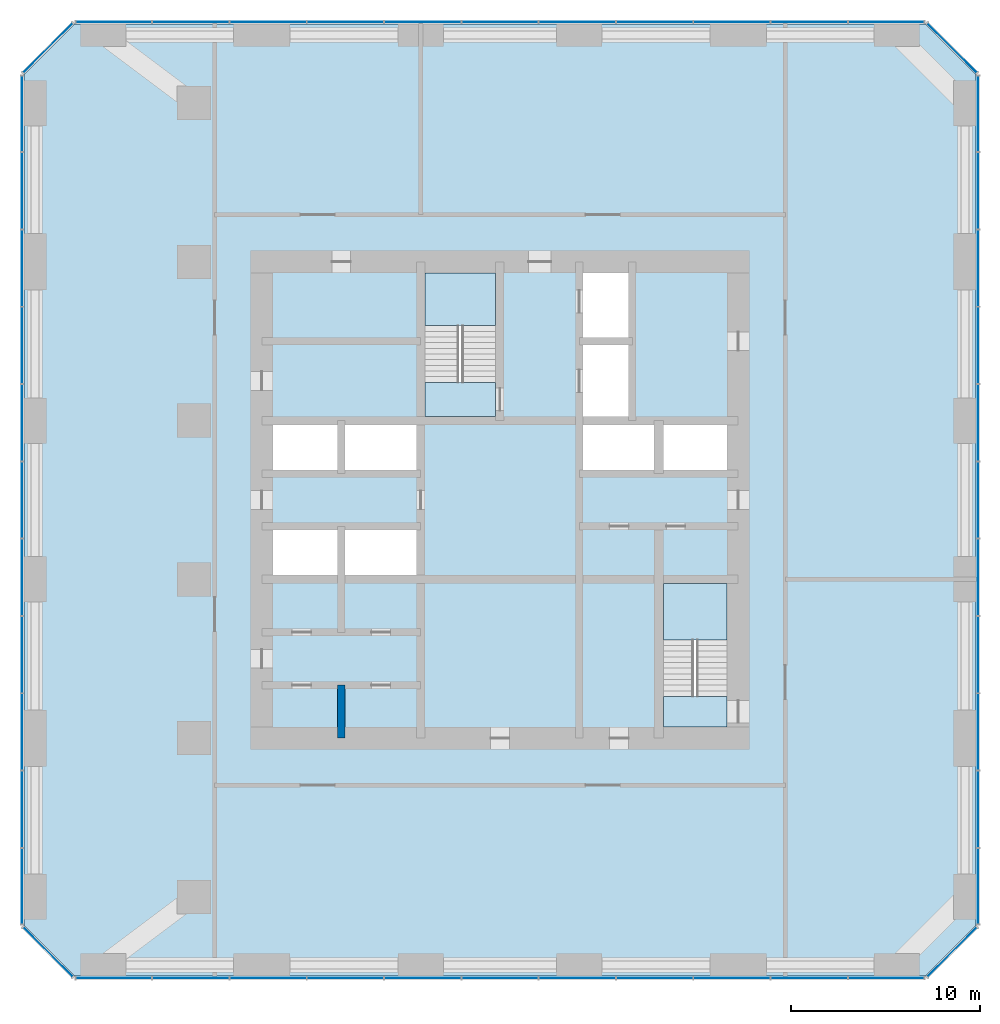
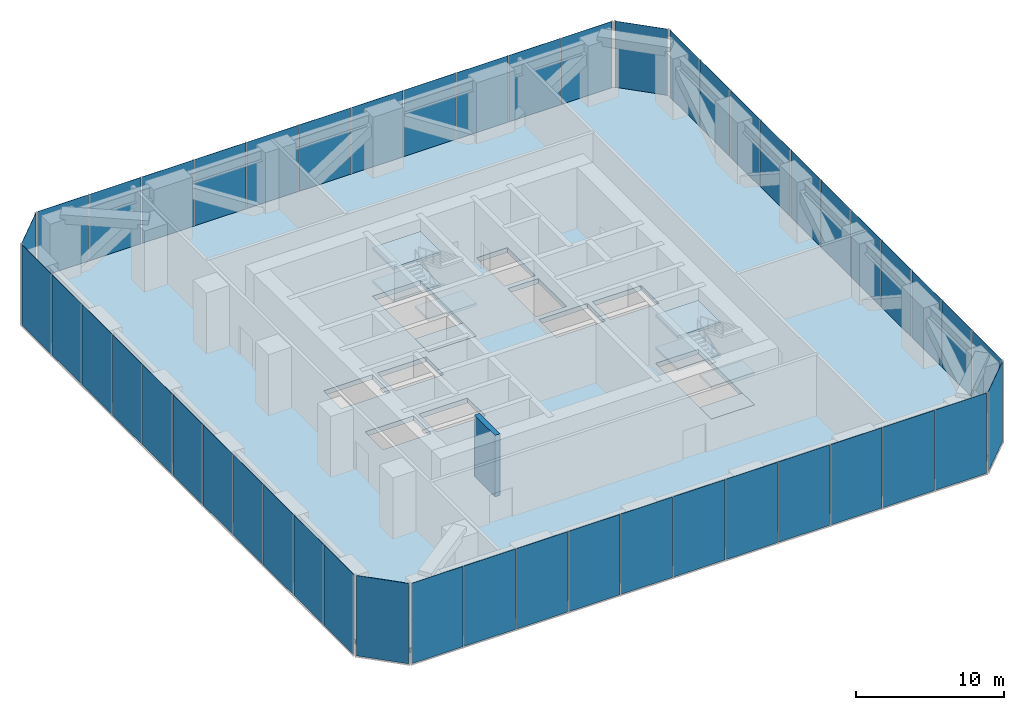
# One storey, part 7 of 10: 48 plates, 9 slabs, 1 wall, 10 elements without a shape of their own.
"""IFC4 building model written with IfcOpenShell, lengths in metres."""

from ifc_helpers import new_model, si_unit, direction, frame, frame_2d, origin, origin_2d, place, context, subcontext, project, spatial, polyline, rectangle, outline, extrude, material, layer, layer_set, type_object, element, aggregate, save


model = new_model("IFC4")

# Units and contexts
model_context = context("Model", 3, precision=1e-05, world=origin(), true_north=direction((0.0, 1.0)))
body_context = subcontext(model_context, "Body", "Model", "MODEL_VIEW")
ifc_project = project(units=[si_unit("LENGTHUNIT", "METRE"), si_unit("AREAUNIT", "SQUARE_METRE"), si_unit("VOLUMEUNIT", "CUBIC_METRE"), si_unit("PLANEANGLEUNIT", "RADIAN"), si_unit("MASSUNIT", "GRAM", prefix="KILO")], contexts=[model_context])

# Site, building, storey
site_placement = place(None, origin())
site = spatial("IfcSite", under=ifc_project, at=site_placement, CompositionType="ELEMENT")
building_placement = place(site_placement, origin())
building = spatial("IfcBuilding", under=site, at=building_placement, Name="Dunama Terrace Hotel", CompositionType="ELEMENT")
storey_placement = place(building_placement, frame((0.0, 0.0, 220.199951171875)))
storey = spatial("IfcBuildingStorey", under=building, at=storey_placement, Name="L57", CompositionType="ELEMENT", Elevation=220.199951171875)

# Curtain wall, plates
ifc_material_1 = material(Name="Aluminium curtain wall system", Category="aluminium")
curtain_wall_type = type_object("IfcCurtainWallType", Name="Plant floor louvred glazing CW-G", PredefinedType="NOTDEFINED", material=ifc_material_1)
curtain_wall_1_placement = place(storey_placement, origin())
curtain_wall_1 = element("IfcCurtainWall", 1, at=curtain_wall_1_placement, inside=storey, type_object=curtain_wall_type, Name="Plant floor louvred glazing CW-G L57", PredefinedType="NOTDEFINED")
ifc_material_2 = material(Name="Aluminium louvre blades", Category="aluminium")
ifc_layer_1 = layer(ifc_material_2, 0.02392578125)
ifc_layer_set_1 = layer_set([ifc_layer_1], Name="CWG louvre panel")
plate_type = type_object("IfcPlateType", Name="CWG louvre panel", PredefinedType="CURTAIN_PANEL", material=ifc_layer_set_1)
plate_1_placement = place(storey_placement, frame((8.964111328125, 4.10009765625, -1.23583984375), z_axis=(0.0, 0.0, 1.0), x_axis=(1.0, 0.0, 0.0)))
plate_1 = element("IfcPlate", 2, at=plate_1_placement, type_object=plate_type, Name="CWG louvre panel", PredefinedType="CURTAIN_PANEL", context=body_context, shape_type="SweptSolid", body=[
    extrude(rectangle(XDim=3.978515625, YDim=0.02392578125, at=origin_2d()), origin(), (0.0, 0.0, 1.0), 6.635986328125),
])
plate_2_placement = place(storey_placement, frame((13.035888671875, 4.10009765625, -1.23583984375), z_axis=(0.0, 0.0, 1.0), x_axis=(1.0, 0.0, 0.0)))
plate_2 = element("IfcPlate", 3, at=plate_2_placement, type_object=plate_type, Name="CWG louvre panel", PredefinedType="CURTAIN_PANEL", context=body_context, shape_type="SweptSolid", body=[
    extrude(rectangle(XDim=4.015869140625, YDim=0.02392578125, at=origin_2d()), origin(), (0.0, 0.0, 1.0), 6.635986328125),
])
plate_3_placement = place(storey_placement, frame((17.126953125, 4.10009765625, -1.23583984375), z_axis=(0.0, 0.0, 1.0), x_axis=(1.0, 0.0, 0.0)))
plate_3 = element("IfcPlate", 4, at=plate_3_placement, type_object=plate_type, Name="CWG louvre panel", PredefinedType="CURTAIN_PANEL", context=body_context, shape_type="SweptSolid", body=[
    extrude(rectangle(XDim=4.015869140625, YDim=0.02392578125, at=origin_2d()), origin(), (0.0, 0.0, 1.0), 6.635986328125),
])
plate_4_placement = place(storey_placement, frame((21.218017578125, 4.10009765625, -1.23583984375), z_axis=(0.0, 0.0, 1.0), x_axis=(1.0, 0.0, 0.0)))
plate_4 = element("IfcPlate", 5, at=plate_4_placement, type_object=plate_type, Name="CWG louvre panel", PredefinedType="CURTAIN_PANEL", context=body_context, shape_type="SweptSolid", body=[
    extrude(rectangle(XDim=4.015869140625, YDim=0.02392578125, at=origin_2d()), origin(), (0.0, 0.0, 1.0), 6.635986328125),
])
plate_5_placement = place(storey_placement, frame((25.30908203125, 4.10009765625, -1.23583984375), z_axis=(0.0, 0.0, 1.0), x_axis=(1.0, 0.0, 0.0)))
plate_5 = element("IfcPlate", 6, at=plate_5_placement, type_object=plate_type, Name="CWG louvre panel", PredefinedType="CURTAIN_PANEL", context=body_context, shape_type="SweptSolid", body=[
    extrude(rectangle(XDim=4.015869140625, YDim=0.02392578125, at=origin_2d()), origin(), (0.0, 0.0, 1.0), 6.635986328125),
])
plate_6_placement = place(storey_placement, frame((29.39990234375, 4.10009765625, -1.23583984375), z_axis=(0.0, 0.0, 1.0), x_axis=(1.0, 0.0, 0.0)))
plate_6 = element("IfcPlate", 7, at=plate_6_placement, type_object=plate_type, Name="CWG louvre panel", PredefinedType="CURTAIN_PANEL", context=body_context, shape_type="SweptSolid", body=[
    extrude(rectangle(XDim=4.015869140625, YDim=0.02392578125, at=origin_2d()), origin(), (0.0, 0.0, 1.0), 6.635986328125),
])
plate_7_placement = place(storey_placement, frame((33.490966796875, 4.10009765625, -1.23583984375), z_axis=(0.0, 0.0, 1.0), x_axis=(1.0, 0.0, 0.0)))
plate_7 = element("IfcPlate", 8, at=plate_7_placement, type_object=plate_type, Name="CWG louvre panel", PredefinedType="CURTAIN_PANEL", context=body_context, shape_type="SweptSolid", body=[
    extrude(rectangle(XDim=4.015869140625, YDim=0.02392578125, at=origin_2d()), origin(), (0.0, 0.0, 1.0), 6.635986328125),
])
plate_8_placement = place(storey_placement, frame((37.58203125, 4.10009765625, -1.23583984375), z_axis=(0.0, 0.0, 1.0), x_axis=(1.0, 0.0, 0.0)))
plate_8 = element("IfcPlate", 9, at=plate_8_placement, type_object=plate_type, Name="CWG louvre panel", PredefinedType="CURTAIN_PANEL", context=body_context, shape_type="SweptSolid", body=[
    extrude(rectangle(XDim=4.015869140625, YDim=0.02392578125, at=origin_2d()), origin(), (0.0, 0.0, 1.0), 6.635986328125),
])
plate_9_placement = place(storey_placement, frame((41.673095703125, 4.10009765625, -1.23583984375), z_axis=(0.0, 0.0, 1.0), x_axis=(1.0, 0.0, 0.0)))
plate_9 = element("IfcPlate", 10, at=plate_9_placement, type_object=plate_type, Name="CWG louvre panel", PredefinedType="CURTAIN_PANEL", context=body_context, shape_type="SweptSolid", body=[
    extrude(rectangle(XDim=4.015869140625, YDim=0.02392578125, at=origin_2d()), origin(), (0.0, 0.0, 1.0), 6.635986328125),
])
plate_10_placement = place(storey_placement, frame((45.763916015625, 4.10009765625, -1.23583984375), z_axis=(0.0, 0.0, 1.0), x_axis=(1.0, 0.0, 0.0)))
plate_10 = element("IfcPlate", 11, at=plate_10_placement, type_object=plate_type, Name="CWG louvre panel", PredefinedType="CURTAIN_PANEL", context=body_context, shape_type="SweptSolid", body=[
    extrude(rectangle(XDim=4.015869140625, YDim=0.02392578125, at=origin_2d()), origin(), (0.0, 0.0, 1.0), 6.635986328125),
])
plate_11_placement = place(storey_placement, frame((49.8359375, 4.10009765625, -1.23583984375), z_axis=(0.0, 0.0, 1.0), x_axis=(1.0, 0.0, 0.0)))
plate_11 = element("IfcPlate", 12, at=plate_11_placement, type_object=plate_type, Name="CWG louvre panel", PredefinedType="CURTAIN_PANEL", context=body_context, shape_type="SweptSolid", body=[
    extrude(rectangle(XDim=3.978515625, YDim=0.02392578125, at=origin_2d()), origin(), (0.0, 0.0, 1.0), 6.635986328125),
])
aggregate(curtain_wall_1, [plate_1, plate_2, plate_3, plate_4, plate_5, plate_6, plate_7, plate_8, plate_9, plate_10, plate_11])

# Curtain wall, plate
curtain_wall_2_placement = place(storey_placement, origin())
curtain_wall_2 = element("IfcCurtainWall", 13, at=curtain_wall_2_placement, inside=storey, type_object=curtain_wall_type, Name="Plant floor louvred glazing CW-G L57", PredefinedType="NOTDEFINED")
plate_12_placement = place(storey_placement, frame((53.321044921875, 5.47900390625, -1.23583984375), z_axis=(0.0, 0.0, 1.0), x_axis=(0.707106781187, 0.707106781187, 0.0)))
plate_12 = element("IfcPlate", 14, at=plate_12_placement, type_object=plate_type, Name="CWG louvre panel", PredefinedType="CURTAIN_PANEL", context=body_context, shape_type="SweptSolid", body=[
    extrude(rectangle(XDim=3.66845703125, YDim=0.02392578125, at=origin_2d()), origin(), (0.0, 0.0, 1.0), 6.635986328125),
])
aggregate(curtain_wall_2, [plate_12])

# Curtain wall, plates
curtain_wall_3_placement = place(storey_placement, origin())
curtain_wall_3 = element("IfcCurtainWall", 15, at=curtain_wall_3_placement, inside=storey, type_object=curtain_wall_type, Name="Plant floor louvred glazing CW-G L57", PredefinedType="NOTDEFINED")
plate_13_placement = place(storey_placement, frame((54.699951171875, 8.964111328125, -1.23583984375), z_axis=(0.0, 0.0, 1.0), x_axis=(0.0, 1.0, 0.0)))
plate_13 = element("IfcPlate", 16, at=plate_13_placement, type_object=plate_type, Name="CWG louvre panel", PredefinedType="CURTAIN_PANEL", context=body_context, shape_type="SweptSolid", body=[
    extrude(rectangle(XDim=3.978515625, YDim=0.02392578125, at=origin_2d()), origin(), (0.0, 0.0, 1.0), 6.635986328125),
])
plate_14_placement = place(storey_placement, frame((54.699951171875, 13.035888671875, -1.23583984375), z_axis=(0.0, 0.0, 1.0), x_axis=(0.0, 1.0, 0.0)))
plate_14 = element("IfcPlate", 17, at=plate_14_placement, type_object=plate_type, Name="CWG louvre panel", PredefinedType="CURTAIN_PANEL", context=body_context, shape_type="SweptSolid", body=[
    extrude(rectangle(XDim=4.015869140625, YDim=0.02392578125, at=origin_2d()), origin(), (0.0, 0.0, 1.0), 6.635986328125),
])
plate_15_placement = place(storey_placement, frame((54.699951171875, 17.126953125, -1.23583984375), z_axis=(0.0, 0.0, 1.0), x_axis=(0.0, 1.0, 0.0)))
plate_15 = element("IfcPlate", 18, at=plate_15_placement, type_object=plate_type, Name="CWG louvre panel", PredefinedType="CURTAIN_PANEL", context=body_context, shape_type="SweptSolid", body=[
    extrude(rectangle(XDim=4.015869140625, YDim=0.02392578125, at=origin_2d()), origin(), (0.0, 0.0, 1.0), 6.635986328125),
])
plate_16_placement = place(storey_placement, frame((54.699951171875, 21.218017578125, -1.23583984375), z_axis=(0.0, 0.0, 1.0), x_axis=(0.0, 1.0, 0.0)))
plate_16 = element("IfcPlate", 19, at=plate_16_placement, type_object=plate_type, Name="CWG louvre panel", PredefinedType="CURTAIN_PANEL", context=body_context, shape_type="SweptSolid", body=[
    extrude(rectangle(XDim=4.015869140625, YDim=0.02392578125, at=origin_2d()), origin(), (0.0, 0.0, 1.0), 6.635986328125),
])
plate_17_placement = place(storey_placement, frame((54.699951171875, 25.30908203125, -1.23583984375), z_axis=(0.0, 0.0, 1.0), x_axis=(0.0, 1.0, 0.0)))
plate_17 = element("IfcPlate", 20, at=plate_17_placement, type_object=plate_type, Name="CWG louvre panel", PredefinedType="CURTAIN_PANEL", context=body_context, shape_type="SweptSolid", body=[
    extrude(rectangle(XDim=4.015869140625, YDim=0.02392578125, at=origin_2d()), origin(), (0.0, 0.0, 1.0), 6.635986328125),
])
plate_18_placement = place(storey_placement, frame((54.699951171875, 29.39990234375, -1.23583984375), z_axis=(0.0, 0.0, 1.0), x_axis=(0.0, 1.0, 0.0)))
plate_18 = element("IfcPlate", 21, at=plate_18_placement, type_object=plate_type, Name="CWG louvre panel", PredefinedType="CURTAIN_PANEL", context=body_context, shape_type="SweptSolid", body=[
    extrude(rectangle(XDim=4.015869140625, YDim=0.02392578125, at=origin_2d()), origin(), (0.0, 0.0, 1.0), 6.635986328125),
])
plate_19_placement = place(storey_placement, frame((54.699951171875, 33.490966796875, -1.23583984375), z_axis=(0.0, 0.0, 1.0), x_axis=(0.0, 1.0, 0.0)))
plate_19 = element("IfcPlate", 22, at=plate_19_placement, type_object=plate_type, Name="CWG louvre panel", PredefinedType="CURTAIN_PANEL", context=body_context, shape_type="SweptSolid", body=[
    extrude(rectangle(XDim=4.015869140625, YDim=0.02392578125, at=origin_2d()), origin(), (0.0, 0.0, 1.0), 6.635986328125),
])
plate_20_placement = place(storey_placement, frame((54.699951171875, 37.58203125, -1.23583984375), z_axis=(0.0, 0.0, 1.0), x_axis=(0.0, 1.0, 0.0)))
plate_20 = element("IfcPlate", 23, at=plate_20_placement, type_object=plate_type, Name="CWG louvre panel", PredefinedType="CURTAIN_PANEL", context=body_context, shape_type="SweptSolid", body=[
    extrude(rectangle(XDim=4.015869140625, YDim=0.02392578125, at=origin_2d()), origin(), (0.0, 0.0, 1.0), 6.635986328125),
])
plate_21_placement = place(storey_placement, frame((54.699951171875, 41.673095703125, -1.23583984375), z_axis=(0.0, 0.0, 1.0), x_axis=(0.0, 1.0, 0.0)))
plate_21 = element("IfcPlate", 24, at=plate_21_placement, type_object=plate_type, Name="CWG louvre panel", PredefinedType="CURTAIN_PANEL", context=body_context, shape_type="SweptSolid", body=[
    extrude(rectangle(XDim=4.015869140625, YDim=0.02392578125, at=origin_2d()), origin(), (0.0, 0.0, 1.0), 6.635986328125),
])
plate_22_placement = place(storey_placement, frame((54.699951171875, 45.763916015625, -1.23583984375), z_axis=(0.0, 0.0, 1.0), x_axis=(0.0, 1.0, 0.0)))
plate_22 = element("IfcPlate", 25, at=plate_22_placement, type_object=plate_type, Name="CWG louvre panel", PredefinedType="CURTAIN_PANEL", context=body_context, shape_type="SweptSolid", body=[
    extrude(rectangle(XDim=4.015869140625, YDim=0.02392578125, at=origin_2d()), origin(), (0.0, 0.0, 1.0), 6.635986328125),
])
plate_23_placement = place(storey_placement, frame((54.699951171875, 49.8359375, -1.23583984375), z_axis=(0.0, 0.0, 1.0), x_axis=(0.0, 1.0, 0.0)))
plate_23 = element("IfcPlate", 26, at=plate_23_placement, type_object=plate_type, Name="CWG louvre panel", PredefinedType="CURTAIN_PANEL", context=body_context, shape_type="SweptSolid", body=[
    extrude(rectangle(XDim=3.978515625, YDim=0.02392578125, at=origin_2d()), origin(), (0.0, 0.0, 1.0), 6.635986328125),
])
aggregate(curtain_wall_3, [plate_13, plate_14, plate_15, plate_16, plate_17, plate_18, plate_19, plate_20, plate_21, plate_22, plate_23])

# Curtain wall, plate
curtain_wall_4_placement = place(storey_placement, origin())
curtain_wall_4 = element("IfcCurtainWall", 27, at=curtain_wall_4_placement, inside=storey, type_object=curtain_wall_type, Name="Plant floor louvred glazing CW-G L57", PredefinedType="NOTDEFINED")
plate_24_placement = place(storey_placement, frame((53.321044921875, 53.321044921875, -1.23583984375), z_axis=(0.0, 0.0, 1.0), x_axis=(-0.707106781187, 0.707106781187, 0.0)))
plate_24 = element("IfcPlate", 28, at=plate_24_placement, type_object=plate_type, Name="CWG louvre panel", PredefinedType="CURTAIN_PANEL", context=body_context, shape_type="SweptSolid", body=[
    extrude(rectangle(XDim=3.66845703125, YDim=0.02392578125, at=origin_2d()), origin(), (0.0, 0.0, 1.0), 6.635986328125),
])
aggregate(curtain_wall_4, [plate_24])

# Curtain wall, plates
curtain_wall_5_placement = place(storey_placement, origin())
curtain_wall_5 = element("IfcCurtainWall", 29, at=curtain_wall_5_placement, inside=storey, type_object=curtain_wall_type, Name="Plant floor louvred glazing CW-G L57", PredefinedType="NOTDEFINED")
plate_25_placement = place(storey_placement, frame((49.8359375, 54.699951171875, -1.23583984375), z_axis=(0.0, 0.0, 1.0), x_axis=(-1.0, 0.0, 0.0)))
plate_25 = element("IfcPlate", 30, at=plate_25_placement, type_object=plate_type, Name="CWG louvre panel", PredefinedType="CURTAIN_PANEL", context=body_context, shape_type="SweptSolid", body=[
    extrude(rectangle(XDim=3.978515625, YDim=0.02392578125, at=origin_2d()), origin(), (0.0, 0.0, 1.0), 6.635986328125),
])
plate_26_placement = place(storey_placement, frame((45.763916015625, 54.699951171875, -1.23583984375), z_axis=(0.0, 0.0, 1.0), x_axis=(-1.0, 0.0, 0.0)))
plate_26 = element("IfcPlate", 31, at=plate_26_placement, type_object=plate_type, Name="CWG louvre panel", PredefinedType="CURTAIN_PANEL", context=body_context, shape_type="SweptSolid", body=[
    extrude(rectangle(XDim=4.015869140625, YDim=0.02392578125, at=origin_2d()), origin(), (0.0, 0.0, 1.0), 6.635986328125),
])
plate_27_placement = place(storey_placement, frame((41.673095703125, 54.699951171875, -1.23583984375), z_axis=(0.0, 0.0, 1.0), x_axis=(-1.0, 0.0, 0.0)))
plate_27 = element("IfcPlate", 32, at=plate_27_placement, type_object=plate_type, Name="CWG louvre panel", PredefinedType="CURTAIN_PANEL", context=body_context, shape_type="SweptSolid", body=[
    extrude(rectangle(XDim=4.015869140625, YDim=0.02392578125, at=origin_2d()), origin(), (0.0, 0.0, 1.0), 6.635986328125),
])
plate_28_placement = place(storey_placement, frame((37.58203125, 54.699951171875, -1.23583984375), z_axis=(0.0, 0.0, 1.0), x_axis=(-1.0, 0.0, 0.0)))
plate_28 = element("IfcPlate", 33, at=plate_28_placement, type_object=plate_type, Name="CWG louvre panel", PredefinedType="CURTAIN_PANEL", context=body_context, shape_type="SweptSolid", body=[
    extrude(rectangle(XDim=4.015869140625, YDim=0.02392578125, at=origin_2d()), origin(), (0.0, 0.0, 1.0), 6.635986328125),
])
plate_29_placement = place(storey_placement, frame((33.490966796875, 54.699951171875, -1.23583984375), z_axis=(0.0, 0.0, 1.0), x_axis=(-1.0, 0.0, 0.0)))
plate_29 = element("IfcPlate", 34, at=plate_29_placement, type_object=plate_type, Name="CWG louvre panel", PredefinedType="CURTAIN_PANEL", context=body_context, shape_type="SweptSolid", body=[
    extrude(rectangle(XDim=4.015869140625, YDim=0.02392578125, at=origin_2d()), origin(), (0.0, 0.0, 1.0), 6.635986328125),
])
plate_30_placement = place(storey_placement, frame((29.39990234375, 54.699951171875, -1.23583984375), z_axis=(0.0, 0.0, 1.0), x_axis=(-1.0, 0.0, 0.0)))
plate_30 = element("IfcPlate", 35, at=plate_30_placement, type_object=plate_type, Name="CWG louvre panel", PredefinedType="CURTAIN_PANEL", context=body_context, shape_type="SweptSolid", body=[
    extrude(rectangle(XDim=4.015869140625, YDim=0.02392578125, at=origin_2d()), origin(), (0.0, 0.0, 1.0), 6.635986328125),
])
plate_31_placement = place(storey_placement, frame((25.30908203125, 54.699951171875, -1.23583984375), z_axis=(0.0, 0.0, 1.0), x_axis=(-1.0, 0.0, 0.0)))
plate_31 = element("IfcPlate", 36, at=plate_31_placement, type_object=plate_type, Name="CWG louvre panel", PredefinedType="CURTAIN_PANEL", context=body_context, shape_type="SweptSolid", body=[
    extrude(rectangle(XDim=4.015869140625, YDim=0.02392578125, at=origin_2d()), origin(), (0.0, 0.0, 1.0), 6.635986328125),
])
plate_32_placement = place(storey_placement, frame((21.218017578125, 54.699951171875, -1.23583984375), z_axis=(0.0, 0.0, 1.0), x_axis=(-1.0, 0.0, 0.0)))
plate_32 = element("IfcPlate", 37, at=plate_32_placement, type_object=plate_type, Name="CWG louvre panel", PredefinedType="CURTAIN_PANEL", context=body_context, shape_type="SweptSolid", body=[
    extrude(rectangle(XDim=4.015869140625, YDim=0.02392578125, at=origin_2d()), origin(), (0.0, 0.0, 1.0), 6.635986328125),
])
plate_33_placement = place(storey_placement, frame((17.126953125, 54.699951171875, -1.23583984375), z_axis=(0.0, 0.0, 1.0), x_axis=(-1.0, 0.0, 0.0)))
plate_33 = element("IfcPlate", 38, at=plate_33_placement, type_object=plate_type, Name="CWG louvre panel", PredefinedType="CURTAIN_PANEL", context=body_context, shape_type="SweptSolid", body=[
    extrude(rectangle(XDim=4.015869140625, YDim=0.02392578125, at=origin_2d()), origin(), (0.0, 0.0, 1.0), 6.635986328125),
])
plate_34_placement = place(storey_placement, frame((13.035888671875, 54.699951171875, -1.23583984375), z_axis=(0.0, 0.0, 1.0), x_axis=(-1.0, 0.0, 0.0)))
plate_34 = element("IfcPlate", 39, at=plate_34_placement, type_object=plate_type, Name="CWG louvre panel", PredefinedType="CURTAIN_PANEL", context=body_context, shape_type="SweptSolid", body=[
    extrude(rectangle(XDim=4.015869140625, YDim=0.02392578125, at=origin_2d()), origin(), (0.0, 0.0, 1.0), 6.635986328125),
])
plate_35_placement = place(storey_placement, frame((8.964111328125, 54.699951171875, -1.23583984375), z_axis=(0.0, 0.0, 1.0), x_axis=(-1.0, 0.0, 0.0)))
plate_35 = element("IfcPlate", 40, at=plate_35_placement, type_object=plate_type, Name="CWG louvre panel", PredefinedType="CURTAIN_PANEL", context=body_context, shape_type="SweptSolid", body=[
    extrude(rectangle(XDim=3.978515625, YDim=0.02392578125, at=origin_2d()), origin(), (0.0, 0.0, 1.0), 6.635986328125),
])
aggregate(curtain_wall_5, [plate_25, plate_26, plate_27, plate_28, plate_29, plate_30, plate_31, plate_32, plate_33, plate_34, plate_35])

# Curtain wall, plate
curtain_wall_6_placement = place(storey_placement, origin())
curtain_wall_6 = element("IfcCurtainWall", 41, at=curtain_wall_6_placement, inside=storey, type_object=curtain_wall_type, Name="Plant floor louvred glazing CW-G L57", PredefinedType="NOTDEFINED")
plate_36_placement = place(storey_placement, frame((5.47900390625, 53.321044921875, -1.23583984375), z_axis=(0.0, 0.0, 1.0), x_axis=(-0.707106781187, -0.707106781187, 0.0)))
plate_36 = element("IfcPlate", 42, at=plate_36_placement, type_object=plate_type, Name="CWG louvre panel", PredefinedType="CURTAIN_PANEL", context=body_context, shape_type="SweptSolid", body=[
    extrude(rectangle(XDim=3.66845703125, YDim=0.02392578125, at=origin_2d()), origin(), (0.0, 0.0, 1.0), 6.635986328125),
])
aggregate(curtain_wall_6, [plate_36])

# Curtain wall, plates
curtain_wall_7_placement = place(storey_placement, origin())
curtain_wall_7 = element("IfcCurtainWall", 43, at=curtain_wall_7_placement, inside=storey, type_object=curtain_wall_type, Name="Plant floor louvred glazing CW-G L57", PredefinedType="NOTDEFINED")
plate_37_placement = place(storey_placement, frame((4.10009765625, 49.8359375, -1.23583984375), z_axis=(0.0, 0.0, 1.0), x_axis=(0.0, -1.0, 0.0)))
plate_37 = element("IfcPlate", 44, at=plate_37_placement, type_object=plate_type, Name="CWG louvre panel", PredefinedType="CURTAIN_PANEL", context=body_context, shape_type="SweptSolid", body=[
    extrude(rectangle(XDim=3.978515625, YDim=0.02392578125, at=origin_2d()), origin(), (0.0, 0.0, 1.0), 6.635986328125),
])
plate_38_placement = place(storey_placement, frame((4.10009765625, 45.763916015625, -1.23583984375), z_axis=(0.0, 0.0, 1.0), x_axis=(0.0, -1.0, 0.0)))
plate_38 = element("IfcPlate", 45, at=plate_38_placement, type_object=plate_type, Name="CWG louvre panel", PredefinedType="CURTAIN_PANEL", context=body_context, shape_type="SweptSolid", body=[
    extrude(rectangle(XDim=4.015869140625, YDim=0.02392578125, at=origin_2d()), origin(), (0.0, 0.0, 1.0), 6.635986328125),
])
plate_39_placement = place(storey_placement, frame((4.10009765625, 41.673095703125, -1.23583984375), z_axis=(0.0, 0.0, 1.0), x_axis=(0.0, -1.0, 0.0)))
plate_39 = element("IfcPlate", 46, at=plate_39_placement, type_object=plate_type, Name="CWG louvre panel", PredefinedType="CURTAIN_PANEL", context=body_context, shape_type="SweptSolid", body=[
    extrude(rectangle(XDim=4.015869140625, YDim=0.02392578125, at=origin_2d()), origin(), (0.0, 0.0, 1.0), 6.635986328125),
])
plate_40_placement = place(storey_placement, frame((4.10009765625, 37.58203125, -1.23583984375), z_axis=(0.0, 0.0, 1.0), x_axis=(0.0, -1.0, 0.0)))
plate_40 = element("IfcPlate", 47, at=plate_40_placement, type_object=plate_type, Name="CWG louvre panel", PredefinedType="CURTAIN_PANEL", context=body_context, shape_type="SweptSolid", body=[
    extrude(rectangle(XDim=4.015869140625, YDim=0.02392578125, at=origin_2d()), origin(), (0.0, 0.0, 1.0), 6.635986328125),
])
plate_41_placement = place(storey_placement, frame((4.10009765625, 33.490966796875, -1.23583984375), z_axis=(0.0, 0.0, 1.0), x_axis=(0.0, -1.0, 0.0)))
plate_41 = element("IfcPlate", 48, at=plate_41_placement, type_object=plate_type, Name="CWG louvre panel", PredefinedType="CURTAIN_PANEL", context=body_context, shape_type="SweptSolid", body=[
    extrude(rectangle(XDim=4.015869140625, YDim=0.02392578125, at=origin_2d()), origin(), (0.0, 0.0, 1.0), 6.635986328125),
])
plate_42_placement = place(storey_placement, frame((4.10009765625, 29.39990234375, -1.23583984375), z_axis=(0.0, 0.0, 1.0), x_axis=(0.0, -1.0, 0.0)))
plate_42 = element("IfcPlate", 49, at=plate_42_placement, type_object=plate_type, Name="CWG louvre panel", PredefinedType="CURTAIN_PANEL", context=body_context, shape_type="SweptSolid", body=[
    extrude(rectangle(XDim=4.015869140625, YDim=0.02392578125, at=origin_2d()), origin(), (0.0, 0.0, 1.0), 6.635986328125),
])
plate_43_placement = place(storey_placement, frame((4.10009765625, 25.30908203125, -1.23583984375), z_axis=(0.0, 0.0, 1.0), x_axis=(0.0, -1.0, 0.0)))
plate_43 = element("IfcPlate", 50, at=plate_43_placement, type_object=plate_type, Name="CWG louvre panel", PredefinedType="CURTAIN_PANEL", context=body_context, shape_type="SweptSolid", body=[
    extrude(rectangle(XDim=4.015869140625, YDim=0.02392578125, at=origin_2d()), origin(), (0.0, 0.0, 1.0), 6.635986328125),
])
plate_44_placement = place(storey_placement, frame((4.10009765625, 21.218017578125, -1.23583984375), z_axis=(0.0, 0.0, 1.0), x_axis=(0.0, -1.0, 0.0)))
plate_44 = element("IfcPlate", 51, at=plate_44_placement, type_object=plate_type, Name="CWG louvre panel", PredefinedType="CURTAIN_PANEL", context=body_context, shape_type="SweptSolid", body=[
    extrude(rectangle(XDim=4.015869140625, YDim=0.02392578125, at=origin_2d()), origin(), (0.0, 0.0, 1.0), 6.635986328125),
])
plate_45_placement = place(storey_placement, frame((4.10009765625, 17.126953125, -1.23583984375), z_axis=(0.0, 0.0, 1.0), x_axis=(0.0, -1.0, 0.0)))
plate_45 = element("IfcPlate", 52, at=plate_45_placement, type_object=plate_type, Name="CWG louvre panel", PredefinedType="CURTAIN_PANEL", context=body_context, shape_type="SweptSolid", body=[
    extrude(rectangle(XDim=4.015869140625, YDim=0.02392578125, at=origin_2d()), origin(), (0.0, 0.0, 1.0), 6.635986328125),
])
plate_46_placement = place(storey_placement, frame((4.10009765625, 13.035888671875, -1.23583984375), z_axis=(0.0, 0.0, 1.0), x_axis=(0.0, -1.0, 0.0)))
plate_46 = element("IfcPlate", 53, at=plate_46_placement, type_object=plate_type, Name="CWG louvre panel", PredefinedType="CURTAIN_PANEL", context=body_context, shape_type="SweptSolid", body=[
    extrude(rectangle(XDim=4.015869140625, YDim=0.02392578125, at=origin_2d()), origin(), (0.0, 0.0, 1.0), 6.635986328125),
])
plate_47_placement = place(storey_placement, frame((4.10009765625, 8.964111328125, -1.23583984375), z_axis=(0.0, 0.0, 1.0), x_axis=(0.0, -1.0, 0.0)))
plate_47 = element("IfcPlate", 54, at=plate_47_placement, type_object=plate_type, Name="CWG louvre panel", PredefinedType="CURTAIN_PANEL", context=body_context, shape_type="SweptSolid", body=[
    extrude(rectangle(XDim=3.978515625, YDim=0.02392578125, at=origin_2d()), origin(), (0.0, 0.0, 1.0), 6.635986328125),
])
aggregate(curtain_wall_7, [plate_37, plate_38, plate_39, plate_40, plate_41, plate_42, plate_43, plate_44, plate_45, plate_46, plate_47])

# Curtain wall, plate
curtain_wall_8_placement = place(storey_placement, origin())
curtain_wall_8 = element("IfcCurtainWall", 55, at=curtain_wall_8_placement, inside=storey, type_object=curtain_wall_type, Name="Plant floor louvred glazing CW-G L57", PredefinedType="NOTDEFINED")
plate_48_placement = place(storey_placement, frame((5.47900390625, 5.47900390625, -1.23583984375), z_axis=(0.0, 0.0, 1.0), x_axis=(0.707106781187, -0.707106781187, 0.0)))
plate_48 = element("IfcPlate", 56, at=plate_48_placement, type_object=plate_type, Name="CWG louvre panel", PredefinedType="CURTAIN_PANEL", context=body_context, shape_type="SweptSolid", body=[
    extrude(rectangle(XDim=3.66845703125, YDim=0.02392578125, at=origin_2d()), origin(), (0.0, 0.0, 1.0), 6.635986328125),
])
aggregate(curtain_wall_8, [plate_48])

# Slab
ifc_material_3 = material(Name="Concrete C40/50", Category="concrete")
ifc_layer_2 = layer(ifc_material_3, 0.39990234375)
ifc_layer_set_2 = layer_set([ifc_layer_2], Name="Plant floor plate 400")
slab_type_1 = type_object("IfcSlabType", Name="Plant floor plate 400", PredefinedType="FLOOR", material=ifc_layer_set_2)
slab_1_placement = place(storey_placement, frame((0.0, 0.0, -0.39990234375)))
element("IfcSlab", 57, at=slab_1_placement, inside=storey, type_object=slab_type_1, Name="Floor slab L57", PredefinedType="FLOOR", context=body_context, shape_type="SweptSolid", body=[
    extrude(outline(polyline([(6.89990234375, 4.199951171875), (51.89990234375, 4.199951171875), (54.60009765625, 6.89990234375), (54.60009765625, 51.89990234375), (51.89990234375, 54.60009765625), (6.89990234375, 54.60009765625), (4.199951171875, 51.89990234375), (4.199951171875, 6.89990234375), (6.89990234375, 4.199951171875)]), holes=[polyline([(20.800048828125, 25.39990234375), (20.800048828125, 27.800048828125), (17.0, 27.800048828125), (17.0, 25.39990234375), (20.800048828125, 25.39990234375)]), polyline([(25.0, 25.39990234375), (25.0, 27.800048828125), (21.199951171875, 27.800048828125), (21.199951171875, 25.39990234375), (25.0, 25.39990234375)]), polyline([(20.800048828125, 31.0), (20.800048828125, 33.39990234375), (17.0, 33.39990234375), (17.0, 31.0), (20.800048828125, 31.0)]), polyline([(25.0, 31.0), (25.0, 33.39990234375), (21.199951171875, 33.39990234375), (21.199951171875, 31.0), (25.0, 31.0)]), polyline([(37.60009765625, 31.0), (37.60009765625, 33.39990234375), (33.800048828125, 33.39990234375), (33.800048828125, 31.0), (37.60009765625, 31.0)]), polyline([(41.800048828125, 31.0), (41.800048828125, 33.39990234375), (38.0, 33.39990234375), (38.0, 31.0), (41.800048828125, 31.0)]), polyline([(36.199951171875, 38.0), (36.199951171875, 41.800048828125), (33.800048828125, 41.800048828125), (33.800048828125, 38.0), (36.199951171875, 38.0)]), polyline([(36.199951171875, 33.800048828125), (36.199951171875, 37.60009765625), (33.800048828125, 37.60009765625), (33.800048828125, 33.800048828125), (36.199951171875, 33.800048828125)]), polyline([(29.175048828125, 33.824951171875), (29.175048828125, 41.39990234375), (25.425048828125, 41.39990234375), (25.425048828125, 33.824951171875), (29.175048828125, 33.824951171875)]), polyline([(41.39990234375, 17.39990234375), (41.39990234375, 24.97509765625), (38.050048828125, 24.97509765625), (38.050048828125, 17.39990234375), (41.39990234375, 17.39990234375)])]), origin(), (0.0, 0.0, 1.0), 0.39990234375),
])

# Stair, slabs
ifc_material_4 = material(Name="Concrete C40/50", Category="concrete")
stair_type_1 = type_object("IfcStairType", Name="Stair ST1-5400-1800", PredefinedType="HALF_TURN_STAIR", material=ifc_material_4)
stair_1_placement = place(storey_placement, origin())
stair_1 = element("IfcStair", 58, at=stair_1_placement, inside=storey, type_object=stair_type_1, Name="Stair ST1 L57", PredefinedType="HALF_TURN_STAIR")
ifc_material_5 = material(Name="Concrete C40/50", Category="concrete")
ifc_layer_3 = layer(ifc_material_5, 0.199951171875)
ifc_layer_set_3 = layer_set([ifc_layer_3], Name="Stair landing 200")
slab_type_2 = type_object("IfcSlabType", Name="Stair landing 200", PredefinedType="LANDING", material=ifc_layer_set_3)
slab_2_placement = place(storey_placement, frame((0.0, 0.0, -0.199951171875)))
slab_2 = element("IfcSlab", 59, at=slab_2_placement, type_object=slab_type_2, Name="ST1 landing 1, type S10", PredefinedType="LANDING", context=body_context, shape_type="SweptSolid", body=[
    extrude(outline(polyline([(25.425048828125, 33.824951171875), (29.175048828125, 33.824951171875), (29.175048828125, 35.625), (25.425048828125, 35.625), (25.425048828125, 33.824951171875)])), origin(), (0.0, 0.0, 1.0), 0.199951171875),
])
slab_3_placement = place(storey_placement, frame((0.0, 0.0, 1.150146484375)))
slab_3 = element("IfcSlab", 60, at=slab_3_placement, type_object=slab_type_2, Name="ST1 landing 2, type S10", PredefinedType="LANDING", context=body_context, shape_type="SweptSolid", body=[
    extrude(outline(polyline([(25.425048828125, 38.625), (29.175048828125, 38.625), (29.175048828125, 41.39990234375), (25.425048828125, 41.39990234375), (25.425048828125, 38.625)])), origin(), (0.0, 0.0, 1.0), 0.199951171875),
])
slab_4_placement = place(storey_placement, frame((0.0, 0.0, 2.5)))
slab_4 = element("IfcSlab", 61, at=slab_4_placement, type_object=slab_type_2, Name="ST1 landing 3, type S10", PredefinedType="LANDING", context=body_context, shape_type="SweptSolid", body=[
    extrude(outline(polyline([(25.425048828125, 33.824951171875), (29.175048828125, 33.824951171875), (29.175048828125, 35.625), (25.425048828125, 35.625), (25.425048828125, 33.824951171875)])), origin(), (0.0, 0.0, 1.0), 0.199951171875),
])
slab_5_placement = place(storey_placement, frame((0.0, 0.0, 3.85009765625)))
slab_5 = element("IfcSlab", 62, at=slab_5_placement, type_object=slab_type_2, Name="ST1 landing 4, type S10", PredefinedType="LANDING", context=body_context, shape_type="SweptSolid", body=[
    extrude(outline(polyline([(25.425048828125, 38.625), (29.175048828125, 38.625), (29.175048828125, 41.39990234375), (25.425048828125, 41.39990234375), (25.425048828125, 38.625)])), origin(), (0.0, 0.0, 1.0), 0.199951171875),
])
aggregate(stair_1, [slab_2, slab_3, slab_4, slab_5])

ifc_material_6 = material(Name="Concrete C40/50", Category="concrete")
stair_type_2 = type_object("IfcStairType", Name="Stair ST2-5400-1600", PredefinedType="HALF_TURN_STAIR", material=ifc_material_6)
stair_2_placement = place(storey_placement, origin())
stair_2 = element("IfcStair", 63, at=stair_2_placement, inside=storey, type_object=stair_type_2, Name="Stair ST2 L57", PredefinedType="HALF_TURN_STAIR")
slab_6_placement = place(storey_placement, frame((0.0, 0.0, -0.199951171875)))
slab_6 = element("IfcSlab", 64, at=slab_6_placement, type_object=slab_type_2, Name="ST2 landing 1, type S10", PredefinedType="LANDING", context=body_context, shape_type="SweptSolid", body=[
    extrude(outline(polyline([(38.050048828125, 17.39990234375), (41.39990234375, 17.39990234375), (41.39990234375, 19.0), (38.050048828125, 19.0), (38.050048828125, 17.39990234375)])), origin(), (0.0, 0.0, 1.0), 0.199951171875),
])
slab_7_placement = place(storey_placement, frame((0.0, 0.0, 1.150146484375)))
slab_7 = element("IfcSlab", 65, at=slab_7_placement, type_object=slab_type_2, Name="ST2 landing 2, type S10", PredefinedType="LANDING", context=body_context, shape_type="SweptSolid", body=[
    extrude(outline(polyline([(38.050048828125, 22.0), (41.39990234375, 22.0), (41.39990234375, 24.97509765625), (38.050048828125, 24.97509765625), (38.050048828125, 22.0)])), origin(), (0.0, 0.0, 1.0), 0.199951171875),
])
slab_8_placement = place(storey_placement, frame((0.0, 0.0, 2.5)))
slab_8 = element("IfcSlab", 66, at=slab_8_placement, type_object=slab_type_2, Name="ST2 landing 3, type S10", PredefinedType="LANDING", context=body_context, shape_type="SweptSolid", body=[
    extrude(outline(polyline([(38.050048828125, 17.39990234375), (41.39990234375, 17.39990234375), (41.39990234375, 19.0), (38.050048828125, 19.0), (38.050048828125, 17.39990234375)])), origin(), (0.0, 0.0, 1.0), 0.199951171875),
])
slab_9_placement = place(storey_placement, frame((0.0, 0.0, 3.85009765625)))
slab_9 = element("IfcSlab", 67, at=slab_9_placement, type_object=slab_type_2, Name="ST2 landing 4, type S10", PredefinedType="LANDING", context=body_context, shape_type="SweptSolid", body=[
    extrude(outline(polyline([(38.050048828125, 22.0), (41.39990234375, 22.0), (41.39990234375, 24.97509765625), (38.050048828125, 24.97509765625), (38.050048828125, 22.0)])), origin(), (0.0, 0.0, 1.0), 0.199951171875),
])
aggregate(stair_2, [slab_6, slab_7, slab_8, slab_9])

# Wall
ifc_material_7 = material(Name="Concrete C50/60", Category="concrete")
ifc_layer_4 = layer(ifc_material_7, 0.39990234375)
ifc_layer_set_4 = layer_set([ifc_layer_4], Name="Core inner wall 400")
wall_type = type_object("IfcWallType", Name="Core inner wall 400", PredefinedType="SHEAR", material=ifc_layer_set_4)
wall_placement = place(storey_placement, frame((21.0, 16.800048828125, -0.39990234375), z_axis=(0.0, 0.0, 1.0), x_axis=(0.0, 1.0, 0.0)))
element("IfcWall", 68, at=wall_placement, inside=storey, type_object=wall_type, Name="Core inner wall 400 L57", PredefinedType="SHEAR", context=body_context, shape_type="SweptSolid", body=[
    extrude(rectangle(XDim=2.800048828125, YDim=0.39990234375, at=frame_2d((1.39990234375, 0.0))), origin(), (0.0, 0.0, 1.0), 5.449951171875),
])

save(model, "model.ifc")
